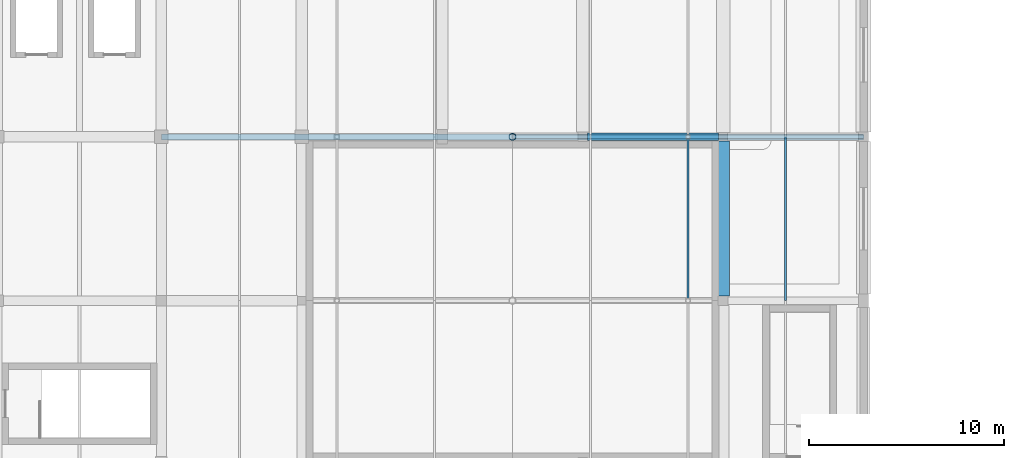
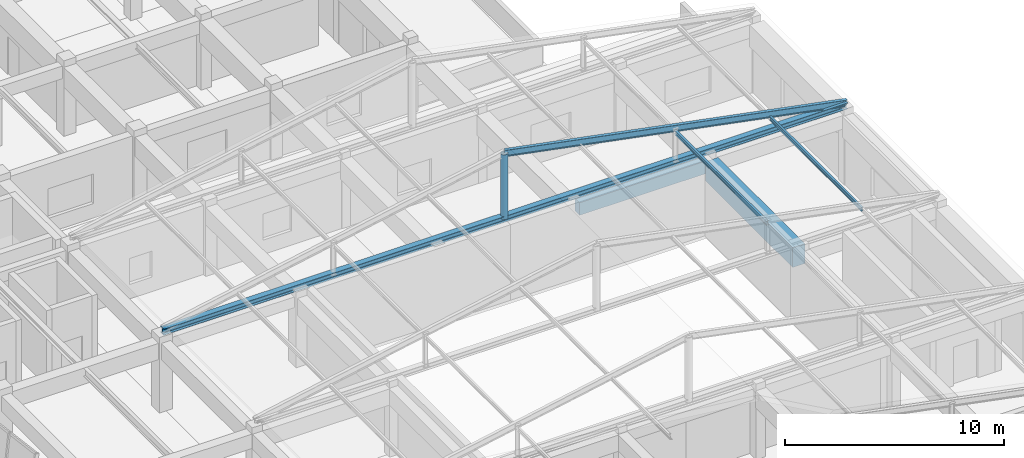
# One storey, part 43 of 74: 5 members, 2 beams.
"""IFC4 building model written with IfcOpenShell, lengths in metres."""

from ifc_helpers import new_model, si_unit, direction, frame, origin, origin_2d, place, context, subcontext, project, spatial, rectangle, hollow_circle, i_section, extrude, material, material_profile, profile_set, type_object, element, save


model = new_model("IFC4")

# Units and contexts
model_context = context("Model", 3, precision=1e-05, world=origin(), true_north=direction((0.0, 1.0)))
body_context = subcontext(model_context, "Body", "Model", "MODEL_VIEW")
ifc_project = project(units=[si_unit("LENGTHUNIT", "METRE"), si_unit("AREAUNIT", "SQUARE_METRE"), si_unit("VOLUMEUNIT", "CUBIC_METRE"), si_unit("PLANEANGLEUNIT", "RADIAN"), si_unit("MASSUNIT", "GRAM", prefix="KILO")], contexts=[model_context])

# Site, building, storey
site_placement = place(None, origin())
site = spatial("IfcSite", under=ifc_project, at=site_placement, CompositionType="ELEMENT")
building_placement = place(site_placement, origin())
building = spatial("IfcBuilding", under=site, at=building_placement, Name="Korsvaeld Concert Hall", CompositionType="ELEMENT")
storey_placement = place(building_placement, frame((0.0, 0.0, 9.0)))
storey = spatial("IfcBuildingStorey", under=building, at=storey_placement, Name="L02", CompositionType="ELEMENT", Elevation=9.0)

# Beams
ifc_material_1 = material(Name="Concrete C35/45", Category="concrete")
ifc_material_profile_1 = material_profile(ifc_material_1, rectangle(XDim=0.39990234375, YDim=0.699951171875, at=origin_2d()), Name="RC 400x700")
ifc_profile_set_1 = profile_set([ifc_material_profile_1], Name="Concrete C35/45")
beam_type_1 = type_object("IfcBeamType", Name="BM-RC-400x700", PredefinedType="T_BEAM", material=ifc_profile_set_1)
beam_1_placement = place(storey_placement, frame((139.449951171875, 68.39990234375, 3.489990234375), z_axis=(1.0, 0.0, 0.0), x_axis=(0.0, 1.0, 0.0)))
element("IfcBeam", 1, at=beam_1_placement, inside=storey, type_object=beam_type_1, Name="Primary girder 19-20/K L02", PredefinedType="T_BEAM", context=body_context, shape_type="SweptSolid", body=[
    extrude(rectangle(XDim=0.39990234375, YDim=0.699951171875, at=origin_2d()), origin(), (0.0, 0.0, 1.0), 6.72509765625),
])
ifc_material_2 = material(Name="Concrete C40/50", Category="concrete")
ifc_material_profile_2 = material_profile(ifc_material_2, rectangle(XDim=0.64990234375, YDim=1.10009765625, at=origin_2d()), Name="RC 650x1100")
ifc_profile_set_2 = profile_set([ifc_material_profile_2], Name="Concrete C40/50")
beam_type_2 = type_object("IfcBeamType", Name="BM-RC-650x1100", PredefinedType="T_BEAM", material=ifc_profile_set_2)
beam_2_placement = place(storey_placement, frame((146.39990234375, 60.25, 3.2900390625), z_axis=(0.0, 1.0, 0.0), x_axis=(-1.0, 0.0, 0.0)))
element("IfcBeam", 2, at=beam_2_placement, inside=storey, type_object=beam_type_2, Name="Primary girder 20/J-K L02", PredefinedType="T_BEAM", context=body_context, shape_type="SweptSolid", body=[
    extrude(rectangle(XDim=0.64990234375, YDim=1.10009765625, at=origin_2d()), origin(), (0.0, 0.0, 1.0), 7.925048828125),
])

# Members
ifc_material_3 = material(Name="Steel S355J2", Category="steel")
ifc_material_profile_3 = material_profile(ifc_material_3, i_section(OverallWidth=0.300048828125, OverallDepth=0.340087890625, WebThickness=0.011962890625, FlangeThickness=0.021484375, FilletRadius=0.027099609375, at=origin_2d()), Name="HEB 340")
ifc_profile_set_3 = profile_set([ifc_material_profile_3], Name="Steel S355J2")
member_type_1 = type_object("IfcMemberType", Name="MEM-CHD-HEB340", PredefinedType="CHORD", material=ifc_profile_set_3)
member_1_placement = place(storey_placement, frame((117.60009765625, 68.39990234375, 4.25), z_axis=(1.0, 0.0, 0.0), x_axis=(0.0, 1.0, 0.0)))
element("IfcMember", 3, at=member_1_placement, inside=storey, type_object=member_type_1, Name="Chamber Hall truss bottom chord 4", PredefinedType="CHORD", context=body_context, shape_type="SweptSolid", body=[
    extrude(i_section(OverallWidth=0.300048828125, OverallDepth=0.340087890625, WebThickness=0.011962890625, FlangeThickness=0.021484375, FilletRadius=0.027099609375, at=origin_2d()), origin(), (0.0, 0.0, 1.0), 36.0),
])
ifc_material_profile_4 = material_profile(ifc_material_3, i_section(OverallWidth=0.110107421875, OverallDepth=0.219970703125, WebThickness=0.005859375, FlangeThickness=0.00927734375, FilletRadius=0.011962890625, at=origin_2d()), Name="IPE 220")
ifc_profile_set_4 = profile_set([ifc_material_profile_4], Name="Steel S355J2")
member_type_2 = type_object("IfcMemberType", Name="MEM-PUR-IPE220", PredefinedType="PURLIN", material=ifc_profile_set_4)
for number, where, z_axis, x_axis, name in (
    (4, (144.60009765625, 60.0, 5.8798828125), (0.0, 1.0, 0.0), (-1.0, 0.0, 0.0), "Chamber Hall roof purlin 144.3"),
    (5, (149.60009765625, 60.0, 4.89990234375), (0.0, 1.0, 0.0), (-1.0, 0.0, 0.0), "Chamber Hall roof purlin 149.3"),
):
    element("IfcMember", number, at=place(storey_placement, frame(where, z_axis=z_axis, x_axis=x_axis)), inside=storey, type_object=member_type_2, Name=name, PredefinedType="PURLIN", context=body_context, shape_type="SweptSolid", body=[
        extrude(i_section(OverallWidth=0.110107421875, OverallDepth=0.219970703125, WebThickness=0.005859375, FlangeThickness=0.00927734375, FilletRadius=0.011962890625, at=origin_2d()), origin(), (0.0, 0.0, 1.0), 8.39990234375),
    ])
ifc_material_profile_5 = material_profile(ifc_material_3, i_section(OverallWidth=0.169921875, OverallDepth=0.360107421875, WebThickness=0.008056640625, FlangeThickness=0.0126953125, FilletRadius=0.01806640625, at=origin_2d()), Name="IPE 360")
ifc_profile_set_5 = profile_set([ifc_material_profile_5], Name="Steel S355J2")
member_type_3 = type_object("IfcMemberType", Name="MEM-RAF-IPE360", PredefinedType="RAFTER", material=ifc_profile_set_5)
member_2_placement = place(storey_placement, frame((153.60009765625, 68.39990234375, 4.35009765625), z_axis=(-0.981615389669, 0.0, 0.190869659102), x_axis=(0.0, -1.0, 0.0)))
element("IfcMember", 6, at=member_2_placement, inside=storey, type_object=member_type_3, Name="Chamber Hall east pitched rafter 4", PredefinedType="RAFTER", context=body_context, shape_type="SweptSolid", body=[
    extrude(i_section(OverallWidth=0.169921875, OverallDepth=0.360107421875, WebThickness=0.008056640625, FlangeThickness=0.0126953125, FilletRadius=0.01806640625, at=origin_2d()), origin(), (0.0, 0.0, 1.0), 18.337158203125),
])
ifc_material_profile_6 = material_profile(ifc_material_3, hollow_circle(Radius=0.177734375, WallThickness=0.01611328125, at=origin_2d()), Name="CHS 355.6x16")
ifc_profile_set_6 = profile_set([ifc_material_profile_6], Name="Steel S355J2")
member_type_4 = type_object("IfcMemberType", Name="MEM-STR-CHS355", PredefinedType="STRUT", material=ifc_profile_set_6)
member_3_placement = place(storey_placement, frame((135.60009765625, 68.39990234375, 4.25), z_axis=(0.0, 0.0, 1.0), x_axis=(1.0, 0.0, 0.0)))
element("IfcMember", 7, at=member_3_placement, inside=storey, type_object=member_type_4, Name="Chamber Hall truss web 4.135", PredefinedType="STRUT", context=body_context, shape_type="SweptSolid", body=[
    extrude(hollow_circle(Radius=0.177734375, WallThickness=0.01611328125, at=origin_2d()), origin(), (0.0, 0.0, 1.0), 3.60009765625),
])

save(model, "model.ifc")
